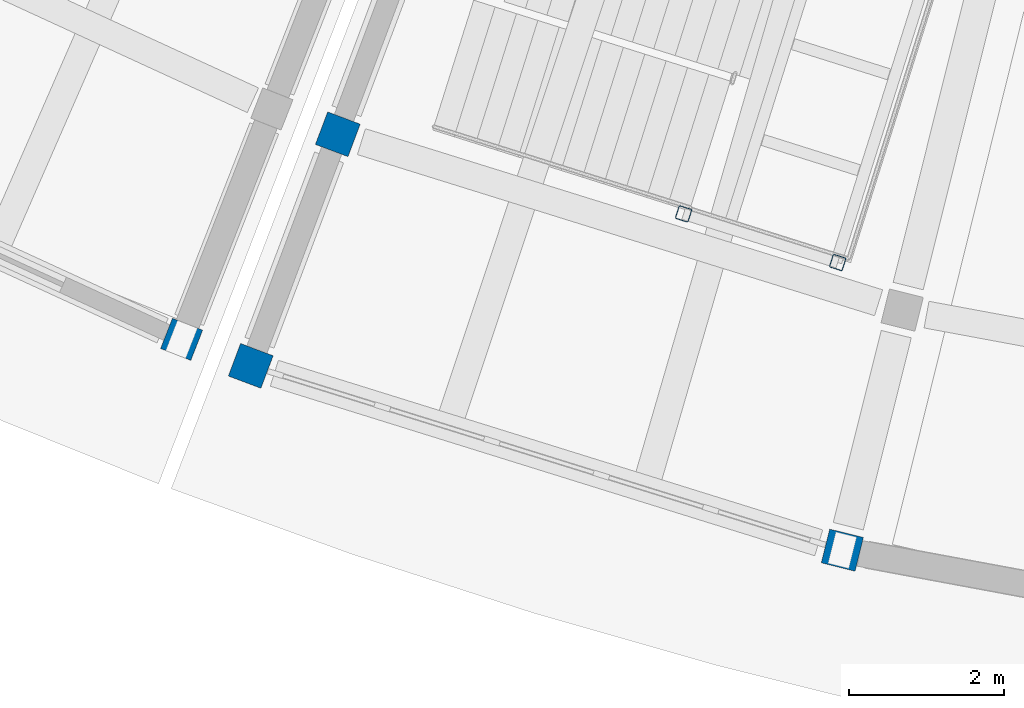
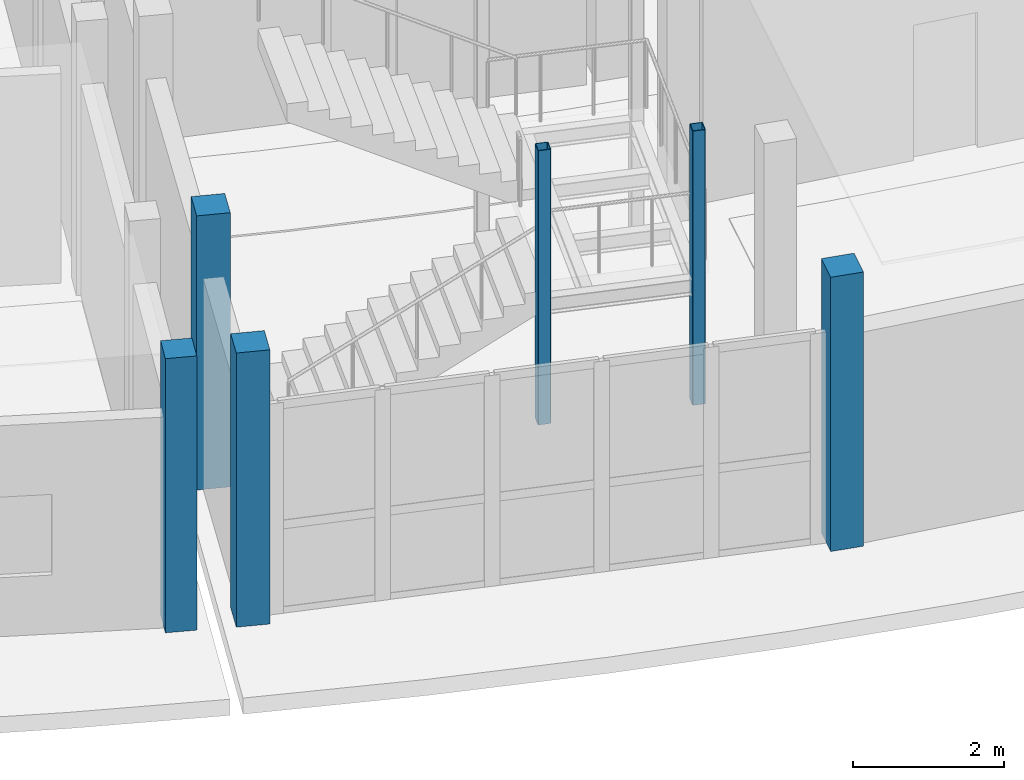
# One storey, part 4 of 92: 6 columns.
"""IFC4 building model written with IfcOpenShell, lengths in metres."""

from ifc_helpers import new_model, si_unit, direction, frame, origin, origin_2d, place, context, subcontext, project, spatial, rectangle, hollow_rectangle, extrude, material, material_profile, profile_set, type_object, element, save


model = new_model("IFC4")

# Units and contexts
model_context = context("Model", 3, precision=1e-05, world=origin(), true_north=direction((0.0, 1.0)))
body_context = subcontext(model_context, "Body", "Model", "MODEL_VIEW")
ifc_project = project(units=[si_unit("LENGTHUNIT", "METRE"), si_unit("AREAUNIT", "SQUARE_METRE"), si_unit("VOLUMEUNIT", "CUBIC_METRE"), si_unit("PLANEANGLEUNIT", "RADIAN"), si_unit("MASSUNIT", "GRAM", prefix="KILO")], contexts=[model_context])

# Site, building, storey
site_placement = place(None, origin())
site = spatial("IfcSite", under=ifc_project, at=site_placement, CompositionType="ELEMENT")
building_placement = place(site_placement, origin())
building = spatial("IfcBuilding", under=site, at=building_placement, Name="Caldaven Crescent School", CompositionType="ELEMENT")
storey_placement = place(building_placement, origin())
storey = spatial("IfcBuildingStorey", under=building, at=storey_placement, Name="L00", CompositionType="ELEMENT", Elevation=0.0)

# Columns
ifc_material_1 = material(Name="Glulam MLE24h (GL28h)", Category="wood")
ifc_material_profile_1 = material_profile(ifc_material_1, rectangle(XDim=0.419921875, YDim=0.419921875, at=origin_2d()), Name="MLE 420x420")
ifc_profile_set_1 = profile_set([ifc_material_profile_1], Name="Glulam MLE24h (GL28h)")
column_type_1 = type_object("IfcColumnType", Name="COL-GL42", PredefinedType="COLUMN", material=ifc_profile_set_1)
column_placement = place(storey_placement, frame((62.629150390625, 31.24267578125, 0.0), z_axis=(0.0, 0.0, 1.0), x_axis=(-0.364714278886, -0.931119484694, 0.0)))
element("IfcColumn", 1, at=column_placement, inside=storey, type_object=column_type_1, Name="COL-V4W-L00-05-4", PredefinedType="COLUMN", context=body_context, shape_type="SweptSolid", body=[
    extrude(rectangle(XDim=0.419921875, YDim=0.419921875, at=origin_2d()), origin(), (0.0, 0.0, 1.0), 4.419921875),
])
ifc_material_profile_2 = material_profile(ifc_material_1, rectangle(XDim=0.449951171875, YDim=0.449951171875, at=origin_2d()), Name="MLE 450x450")
ifc_profile_set_2 = profile_set([ifc_material_profile_2], Name="Glulam MLE24h (GL28h)")
column_type_2 = type_object("IfcColumnType", Name="COL-GL45", PredefinedType="COLUMN", material=ifc_profile_set_2)
for number, where, z_axis, x_axis, name in (
    (2, (64.6494140625, 33.894775390625, 0.0), (0.0, 0.0, 1.0), (-0.352005016254, -0.93599811353, 0.0), "COL-V5-L00-00-3"),
    (3, (63.523193359375, 30.8994140625, 0.0), (0.0, 0.0, 1.0), (-0.352005016254, -0.93599811353, 0.0), "COL-V5-L00-00-4"),
    (4, (71.17431640625, 28.515869140625, 0.0), (0.0, 0.0, 1.0), (-0.2419218956, -0.970295726276, 0.0), "COL-V5-L00-01-4"),
):
    element("IfcColumn", number, at=place(storey_placement, frame(where, z_axis=z_axis, x_axis=x_axis)), inside=storey, type_object=column_type_2, Name=name, PredefinedType="COLUMN", context=body_context, shape_type="SweptSolid", body=[
        extrude(rectangle(XDim=0.449951171875, YDim=0.449951171875, at=origin_2d()), origin(), (0.0, 0.0, 1.0), 4.419921875),
    ])
ifc_material_2 = material(Name="Steel ASTM A572 Grade 50", Category="steel")
ifc_material_profile_3 = material_profile(ifc_material_2, hollow_rectangle(XDim=0.179931640625, YDim=0.179931640625, WallThickness=0.010009765625, InnerFilletRadius=0.010009765625, OuterFilletRadius=0.02001953125, at=origin_2d()), Name="HSS 180x180x10")
ifc_profile_set_3 = profile_set([ifc_material_profile_3], Name="Steel ASTM A572 Grade 50")
column_type_3 = type_object("IfcColumnType", Name="COL-HS18", PredefinedType="COLUMN", material=ifc_profile_set_3)
for number, where, z_axis, x_axis, name in (
    (5, (69.12109375, 32.864990234375, 0.0), (0.0, 0.0, 1.0), (0.953716950748, -0.300705799504, 0.0), "COL-STPOST-ST2-L00-A"),
    (6, (71.114501953125, 32.236328125, 0.0), (0.0, 0.0, 1.0), (0.953716950748, -0.300705799504, 0.0), "COL-STPOST-ST2-L00-C"),
):
    element("IfcColumn", number, at=place(storey_placement, frame(where, z_axis=z_axis, x_axis=x_axis)), inside=storey, type_object=column_type_3, Name=name, PredefinedType="COLUMN", context=body_context, shape_type="SweptSolid", body=[
        extrude(hollow_rectangle(XDim=0.179931640625, YDim=0.179931640625, WallThickness=0.010009765625, InnerFilletRadius=0.010009765625, OuterFilletRadius=0.02001953125, at=origin_2d()), origin(), (0.0, 0.0, 1.0), 4.419921875),
    ])

save(model, "model.ifc")
